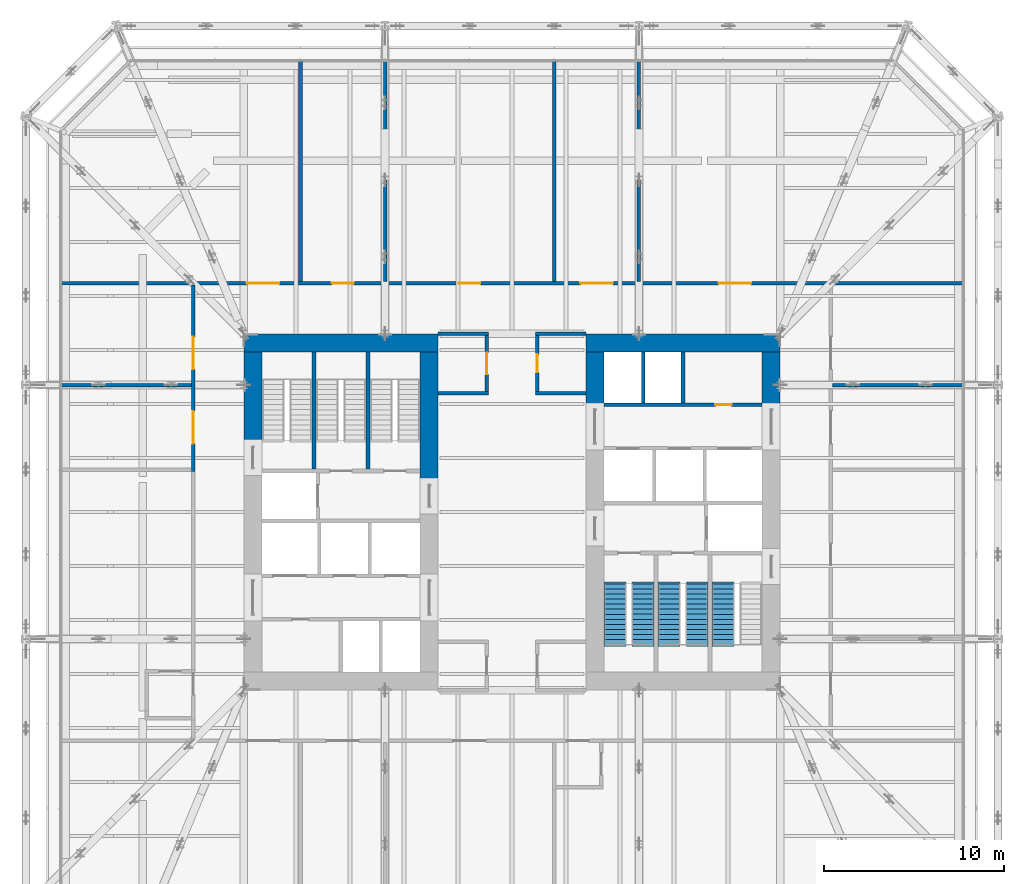
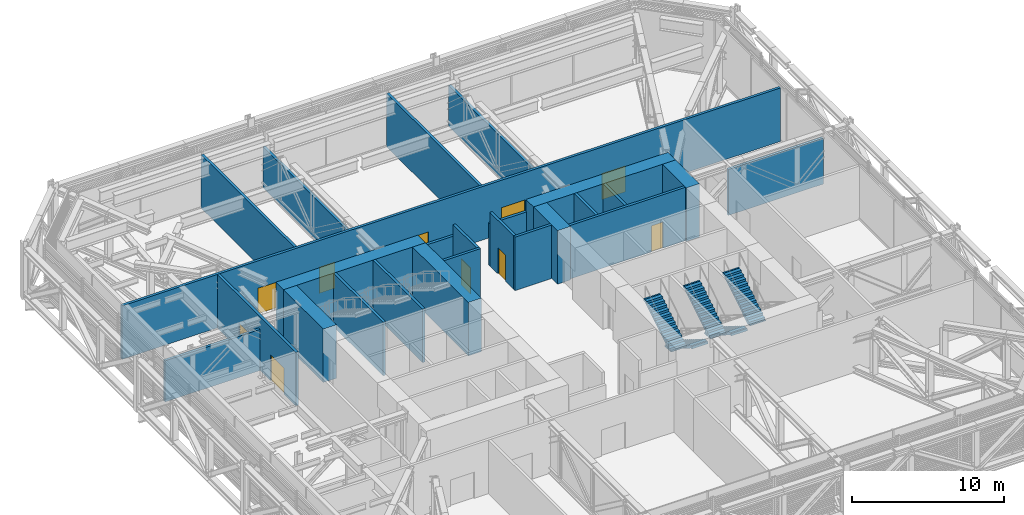
# One storey, part 24 of 33: 25 walls, 10 doors, 5 stair flights, 10 openings, 3 elements without a shape of their own.
"""IFC4 building model written with IfcOpenShell, lengths in metres."""

from ifc_helpers import new_model, si_unit, direction, frame, frame_2d, origin, place, context, subcontext, project, spatial, polyline, rectangle, outline, extrude, material, layer, layer_set, type_object, element, fill, aggregate, save


model = new_model("IFC4")

# Units and contexts
model_context = context("Model", 3, precision=1e-05, world=origin(), true_north=direction((0.0, 1.0)))
body_context = subcontext(model_context, "Body", "Model", "MODEL_VIEW")
ifc_project = project(units=[si_unit("LENGTHUNIT", "METRE"), si_unit("AREAUNIT", "SQUARE_METRE"), si_unit("VOLUMEUNIT", "CUBIC_METRE"), si_unit("PLANEANGLEUNIT", "RADIAN"), si_unit("MASSUNIT", "GRAM", prefix="KILO")], contexts=[model_context])

# Site, building, storey
site_placement = place(None, origin())
site = spatial("IfcSite", under=ifc_project, at=site_placement, CompositionType="ELEMENT")
building_placement = place(site_placement, origin())
building = spatial("IfcBuilding", under=site, at=building_placement, Name="Millrace Tower", CompositionType="ELEMENT")
storey_placement = place(building_placement, frame((0.0, 0.0, 64.10009765625)))
storey = spatial("IfcBuildingStorey", under=building, at=storey_placement, Name="L14", CompositionType="ELEMENT", Elevation=64.10009765625)

# Walls
ifc_material_1 = material(Name="Concrete C80", Category="concrete")
ifc_layer_1 = layer(ifc_material_1, 1.0)
ifc_layer_set_1 = layer_set([ifc_layer_1], Name="Concrete C80")
wall_type_1 = type_object("IfcWallType", Name="Core wall 1000 Concrete C80", PredefinedType="SHEAR", material=ifc_layer_set_1)
wall_1_placement = place(storey_placement, frame((-14.89990234375, 9.39990234375, 0.0), z_axis=(0.0, 0.0, 1.0), x_axis=(1.0, 0.0, 0.0)))
element("IfcWall", 1, at=wall_1_placement, inside=storey, type_object=wall_type_1, Name="Core wall W L14", PredefinedType="SHEAR", context=body_context, shape_type="SweptSolid", body=[
    extrude(rectangle(XDim=10.7998046875, YDim=1.0, at=frame_2d((5.39990234375, 0.0))), origin(), (0.0, 0.0, 1.0), 4.2998046875),
])
wall_2_placement = place(storey_placement, frame((-14.39990234375, 3.679931640625, 0.0), z_axis=(0.0, 0.0, 1.0), x_axis=(0.0, 1.0, 0.0)))
element("IfcWall", 2, at=wall_2_placement, inside=storey, type_object=wall_type_1, Name="Core wall W L14", PredefinedType="SHEAR", context=body_context, shape_type="SweptSolid", body=[
    extrude(rectangle(XDim=5.219970703125, YDim=1.0, at=frame_2d((2.60986328125, 0.0))), origin(), (0.0, 0.0, 1.0), 4.2998046875),
])
wall_3_placement = place(storey_placement, frame((-4.60009765625, 1.550048828125, 0.0), z_axis=(0.0, 0.0, 1.0), x_axis=(0.0, 1.0, 0.0)))
element("IfcWall", 3, at=wall_3_placement, inside=storey, type_object=wall_type_1, Name="Core wall W L14", PredefinedType="SHEAR", context=body_context, shape_type="SweptSolid", body=[
    extrude(rectangle(XDim=7.349853515625, YDim=1.0, at=frame_2d((3.6748046875, 0.0))), origin(), (0.0, 0.0, 1.0), 4.2998046875),
])
wall_4_placement = place(storey_placement, frame((14.89990234375, 9.39990234375, 0.0), z_axis=(0.0, 0.0, 1.0), x_axis=(-1.0, 0.0, 0.0)))
element("IfcWall", 4, at=wall_4_placement, inside=storey, type_object=wall_type_1, Name="Core wall E L14", PredefinedType="SHEAR", context=body_context, shape_type="SweptSolid", body=[
    extrude(rectangle(XDim=10.7998046875, YDim=1.0, at=frame_2d((5.39990234375, 0.0))), origin(), (0.0, 0.0, 1.0), 4.2998046875),
])
for number, where, z_axis, x_axis, name in (
    (5, (14.39990234375, 8.89990234375, 0.0), (0.0, 0.0, 1.0), (0.0, -1.0, 0.0), "Core wall E L14"),
    (6, (4.60009765625, 8.89990234375, 0.0), (0.0, 0.0, 1.0), (0.0, -1.0, 0.0), "Core wall E L14"),
):
    element("IfcWall", number, at=place(storey_placement, frame(where, z_axis=z_axis, x_axis=x_axis)), inside=storey, type_object=wall_type_1, Name=name, PredefinedType="SHEAR", context=body_context, shape_type="SweptSolid", body=[
        extrude(rectangle(XDim=3.14990234375, YDim=1.0, at=frame_2d((1.574951171875, 0.0))), origin(), (0.0, 0.0, 1.0), 4.2998046875),
    ])
ifc_material_2 = material(Name="Masonry partition, fire-rated", Category="masonry")
ifc_layer_2 = layer(ifc_material_2, 0.199951171875)
ifc_layer_set_2 = layer_set([ifc_layer_2], Name="Masonry partition, fire-rated")
wall_type_2 = type_object("IfcWallType", Name="Corridor wall 200", PredefinedType="PARTITIONING", material=ifc_layer_set_2)
for number, where, z_axis, x_axis, name in (
    (7, (-4.10009765625, 6.60009765625, 0.0), (0.0, 0.0, 1.0), (1.0, 0.0, 0.0), "Corridor wall L14"),
    (8, (1.300048828125, 6.60009765625, 0.0), (0.0, 0.0, 1.0), (1.0, 0.0, 0.0), "Corridor wall L14"),
):
    element("IfcWall", number, at=place(storey_placement, frame(where, z_axis=z_axis, x_axis=x_axis)), inside=storey, type_object=wall_type_2, Name=name, PredefinedType="PARTITIONING", context=body_context, shape_type="SweptSolid", body=[
        extrude(rectangle(XDim=2.800048828125, YDim=0.199951171875, at=frame_2d((1.39990234375, 0.0))), origin(), (0.0, 0.0, 1.0), 4.2998046875),
    ])
wall_5_placement = place(storey_placement, frame((-25.030029296875, 7.050048828125, 0.0), z_axis=(0.0, 0.0, 1.0), x_axis=(1.0, 0.0, 0.0)))
element("IfcWall", 9, at=wall_5_placement, inside=storey, type_object=wall_type_2, Name="Corridor wall L14", PredefinedType="PARTITIONING", context=body_context, shape_type="SweptSolid", body=[
    extrude(rectangle(XDim=7.22998046875, YDim=0.199951171875, at=frame_2d((3.614990234375, 0.0))), origin(), (0.0, 0.0, 1.0), 3.306884765625),
])
wall_6_placement = place(storey_placement, frame((17.800048828125, 7.050048828125, 0.0), z_axis=(0.0, 0.0, 1.0), x_axis=(1.0, 0.0, 0.0)))
element("IfcWall", 10, at=wall_6_placement, inside=storey, type_object=wall_type_2, Name="Corridor wall L14", PredefinedType="PARTITIONING", context=body_context, shape_type="SweptSolid", body=[
    extrude(rectangle(XDim=7.22998046875, YDim=0.199951171875, at=frame_2d((3.614990234375, 0.0))), origin(), (0.0, 0.0, 1.0), 3.686767578125),
])
for number, where, z_axis, x_axis, name in (
    (11, (-4.10009765625, 9.89990234375, 0.0), (0.0, 0.0, 1.0), (1.0, 0.0, 0.0), "Corridor wall L14"),
    (12, (1.300048828125, 9.89990234375, 0.0), (0.0, 0.0, 1.0), (1.0, 0.0, 0.0), "Corridor wall L14"),
):
    element("IfcWall", number, at=place(storey_placement, frame(where, z_axis=z_axis, x_axis=x_axis)), inside=storey, type_object=wall_type_2, Name=name, PredefinedType="PARTITIONING", context=body_context, shape_type="SweptSolid", body=[
        extrude(rectangle(XDim=2.800048828125, YDim=0.199951171875, at=frame_2d((1.39990234375, 0.0))), origin(), (0.0, 0.0, 1.0), 3.362548828125),
    ])

# Wall, openings, doors
wall_7_placement = place(storey_placement, frame((-25.030029296875, 12.699951171875, 0.0), z_axis=(0.0, 0.0, 1.0), x_axis=(1.0, 0.0, 0.0)))
wall_7 = element("IfcWall", 13, at=wall_7_placement, inside=storey, type_object=wall_type_2, Name="Corridor wall L14", PredefinedType="PARTITIONING", context=body_context, shape_type="SweptSolid", body=[
    extrude(rectangle(XDim=50.06005859375, YDim=0.199951171875, at=frame_2d((25.030029296875, 0.0))), origin(), (0.0, 0.0, 1.0), 4.2998046875),
])
opening_1_placement = place(wall_7_placement, frame((10.304931640625, 0.0, 0.0)))
opening_1 = element("IfcOpeningElement", 14, at=opening_1_placement, cuts=wall_7, Name="Opening 14-P010", PredefinedType="OPENING", context=body_context, shape_type="SweptSolid", body=[
    extrude(rectangle(XDim=1.800048828125, YDim=2.10009765625, at=frame_2d((0.89990234375, 1.050048828125))), frame((0.0, 0.10986328125, 0.0), z_axis=(0.0, -1.0, 0.0), x_axis=(1.0, 0.0, 0.0)), (0.0, 0.0, 1.0), 0.219970703125),
])
opening_2_placement = place(wall_7_placement, frame((15.030029296875, 0.0, 0.0)))
opening_2 = element("IfcOpeningElement", 15, at=opening_2_placement, cuts=wall_7, Name="Opening 14-P011", PredefinedType="OPENING", context=body_context, shape_type="SweptSolid", body=[
    extrude(rectangle(XDim=1.199951171875, YDim=2.10009765625, at=frame_2d((0.60009765625, 1.050048828125))), frame((0.0, 0.10986328125, 0.0), z_axis=(0.0, -1.0, 0.0), x_axis=(1.0, 0.0, 0.0)), (0.0, 0.0, 1.0), 0.219970703125),
])
opening_3_placement = place(wall_7_placement, frame((22.080078125, 0.0, 0.0)))
opening_3 = element("IfcOpeningElement", 16, at=opening_3_placement, cuts=wall_7, Name="Opening 14-P012", PredefinedType="OPENING", context=body_context, shape_type="SweptSolid", body=[
    extrude(rectangle(XDim=1.199951171875, YDim=2.10009765625, at=frame_2d((0.60009765625, 1.050048828125))), frame((0.0, 0.10986328125, 0.0), z_axis=(0.0, -1.0, 0.0), x_axis=(1.0, 0.0, 0.0)), (0.0, 0.0, 1.0), 0.219970703125),
])
opening_4_placement = place(wall_7_placement, frame((28.830078125, 0.0, 0.0)))
opening_4 = element("IfcOpeningElement", 17, at=opening_4_placement, cuts=wall_7, Name="Opening 14-P013", PredefinedType="OPENING", context=body_context, shape_type="SweptSolid", body=[
    extrude(rectangle(XDim=1.800048828125, YDim=2.10009765625, at=frame_2d((0.89990234375, 1.050048828125))), frame((0.0, 0.10986328125, 0.0), z_axis=(0.0, -1.0, 0.0), x_axis=(1.0, 0.0, 0.0)), (0.0, 0.0, 1.0), 0.219970703125),
])
opening_5_placement = place(wall_7_placement, frame((36.510009765625, 0.0, 0.0)))
opening_5 = element("IfcOpeningElement", 18, at=opening_5_placement, cuts=wall_7, Name="Opening 14-P014", PredefinedType="OPENING", context=body_context, shape_type="SweptSolid", body=[
    extrude(rectangle(XDim=1.800048828125, YDim=2.10009765625, at=frame_2d((0.89990234375, 1.050048828125))), frame((0.0, 0.10986328125, 0.0), z_axis=(0.0, -1.0, 0.0), x_axis=(1.0, 0.0, 0.0)), (0.0, 0.0, 1.0), 0.219970703125),
])
ifc_material_3 = material(Name="Steel door set, fire-rated", Category="steel")
door_type_1 = type_object("IfcDoorType", Name="Plant room door 1200 x 2100", OperationType="SINGLE_SWING_LEFT", PredefinedType="DOOR", material=ifc_material_3)
door_1_placement = place(opening_2_placement, origin())
door_1 = element("IfcDoor", 19, at=door_1_placement, inside=storey, type_object=door_type_1, Name="Door 14-P011", OperationType="SINGLE_SWING_LEFT", OverallHeight=2.10009765625, OverallWidth=1.199951171875, PredefinedType="DOOR", context=body_context, shape_type="SweptSolid", body=[
    extrude(rectangle(XDim=1.199951171875, YDim=2.10009765625, at=frame_2d((0.60009765625, 1.050048828125))), frame((0.0, 0.02490234375, 0.0), z_axis=(0.0, -1.0, 0.0), x_axis=(1.0, 0.0, 0.0)), (0.0, 0.0, 1.0), 0.050048828125),
])
fill(opening_2, door_1)
door_2_placement = place(opening_3_placement, origin())
door_2 = element("IfcDoor", 20, at=door_2_placement, inside=storey, type_object=door_type_1, Name="Door 14-P012", OperationType="SINGLE_SWING_LEFT", OverallHeight=2.10009765625, OverallWidth=1.199951171875, PredefinedType="DOOR", context=body_context, shape_type="SweptSolid", body=[
    extrude(rectangle(XDim=1.199951171875, YDim=2.10009765625, at=frame_2d((0.60009765625, 1.050048828125))), frame((0.0, 0.02490234375, 0.0), z_axis=(0.0, -1.0, 0.0), x_axis=(1.0, 0.0, 0.0)), (0.0, 0.0, 1.0), 0.050048828125),
])
fill(opening_3, door_2)
ifc_material_4 = material(Name="Steel door set, fire-rated", Category="steel")
door_type_2 = type_object("IfcDoorType", Name="Plant room door 1800 x 2100", OperationType="DOUBLE_DOOR_SINGLE_SWING", PredefinedType="DOOR", material=ifc_material_4)
door_3_placement = place(opening_1_placement, origin())
door_3 = element("IfcDoor", 21, at=door_3_placement, inside=storey, type_object=door_type_2, Name="Door 14-P010", OperationType="DOUBLE_DOOR_SINGLE_SWING", OverallHeight=2.10009765625, OverallWidth=1.800048828125, PredefinedType="DOOR", context=body_context, shape_type="SweptSolid", body=[
    extrude(rectangle(XDim=1.800048828125, YDim=2.10009765625, at=frame_2d((0.89990234375, 1.050048828125))), frame((0.0, 0.02490234375, 0.0), z_axis=(0.0, -1.0, 0.0), x_axis=(1.0, 0.0, 0.0)), (0.0, 0.0, 1.0), 0.050048828125),
])
fill(opening_1, door_3)
door_4_placement = place(opening_4_placement, origin())
door_4 = element("IfcDoor", 22, at=door_4_placement, inside=storey, type_object=door_type_2, Name="Door 14-P013", OperationType="DOUBLE_DOOR_SINGLE_SWING", OverallHeight=2.10009765625, OverallWidth=1.800048828125, PredefinedType="DOOR", context=body_context, shape_type="SweptSolid", body=[
    extrude(rectangle(XDim=1.800048828125, YDim=2.10009765625, at=frame_2d((0.89990234375, 1.050048828125))), frame((0.0, 0.02490234375, 0.0), z_axis=(0.0, -1.0, 0.0), x_axis=(1.0, 0.0, 0.0)), (0.0, 0.0, 1.0), 0.050048828125),
])
fill(opening_4, door_4)
door_5_placement = place(opening_5_placement, origin())
door_5 = element("IfcDoor", 23, at=door_5_placement, inside=storey, type_object=door_type_2, Name="Door 14-P014", OperationType="DOUBLE_DOOR_SINGLE_SWING", OverallHeight=2.10009765625, OverallWidth=1.800048828125, PredefinedType="DOOR", context=body_context, shape_type="SweptSolid", body=[
    extrude(rectangle(XDim=1.800048828125, YDim=2.10009765625, at=frame_2d((0.89990234375, 1.050048828125))), frame((0.0, 0.02490234375, 0.0), z_axis=(0.0, -1.0, 0.0), x_axis=(1.0, 0.0, 0.0)), (0.0, 0.0, 1.0), 0.050048828125),
])
fill(opening_5, door_5)

# Walls
wall_8_placement = place(storey_placement, frame((7.050048828125, 12.800048828125, 0.0), z_axis=(0.0, 0.0, 1.0), x_axis=(0.0, 1.0, 0.0)))
element("IfcWall", 24, at=wall_8_placement, inside=storey, type_object=wall_type_2, Name="Corridor wall L14", PredefinedType="PARTITIONING", context=body_context, shape_type="SweptSolid", body=[
    extrude(rectangle(XDim=12.22998046875, YDim=0.199951171875, at=frame_2d((6.114990234375, 0.0))), origin(), (0.0, 0.0, 1.0), 3.306884765625),
])
wall_9_placement = place(storey_placement, frame((2.35009765625, 12.800048828125, 0.0), z_axis=(0.0, 0.0, 1.0), x_axis=(0.0, 1.0, 0.0)))
element("IfcWall", 25, at=wall_9_placement, inside=storey, type_object=wall_type_2, Name="Corridor wall L14", PredefinedType="PARTITIONING", context=body_context, shape_type="SweptSolid", body=[
    extrude(rectangle(XDim=12.22998046875, YDim=0.199951171875, at=frame_2d((6.114990234375, 0.0))), origin(), (0.0, 0.0, 1.0), 4.2998046875),
])

# Wall, opening, door
wall_10_placement = place(storey_placement, frame((1.39990234375, 6.699951171875, 0.0), z_axis=(0.0, 0.0, 1.0), x_axis=(0.0, 1.0, 0.0)))
wall_10 = element("IfcWall", 26, at=wall_10_placement, inside=storey, type_object=wall_type_2, Name="Corridor wall L14", PredefinedType="PARTITIONING", context=body_context, shape_type="SweptSolid", body=[
    extrude(rectangle(XDim=3.10009765625, YDim=0.199951171875, at=frame_2d((1.550048828125, 0.0))), origin(), (0.0, 0.0, 1.0), 4.2998046875),
])
opening_6_placement = place(wall_10_placement, frame((1.050048828125, 0.0, 0.0)))
opening_6 = element("IfcOpeningElement", 27, at=opening_6_placement, cuts=wall_10, Name="Opening 14-P002", PredefinedType="OPENING", context=body_context, shape_type="SweptSolid", body=[
    extrude(rectangle(XDim=1.0, YDim=2.10009765625, at=frame_2d((0.5, 1.050048828125))), frame((0.0, 0.10986328125, 0.0), z_axis=(0.0, -1.0, 0.0), x_axis=(1.0, 0.0, 0.0)), (0.0, 0.0, 1.0), 0.219970703125),
])
ifc_material_5 = material(Name="Steel door set, fire-rated", Category="steel")
door_type_3 = type_object("IfcDoorType", Name="Corridor door 1000 x 2100", OperationType="SINGLE_SWING_LEFT", PredefinedType="DOOR", material=ifc_material_5)
door_6_placement = place(opening_6_placement, frame((1.0, 0.0, 0.0), z_axis=(0.0, 0.0, 1.0), x_axis=(-1.0, 0.0, 0.0)))
door_6 = element("IfcDoor", 28, at=door_6_placement, inside=storey, type_object=door_type_3, Name="Door 14-P002", OperationType="SINGLE_SWING_LEFT", OverallHeight=2.10009765625, OverallWidth=1.0, PredefinedType="DOOR", context=body_context, shape_type="SweptSolid", body=[
    extrude(rectangle(XDim=1.0, YDim=2.10009765625, at=frame_2d((0.5, 1.050048828125))), frame((0.0, 0.02490234375, 0.0), z_axis=(0.0, -1.0, 0.0), x_axis=(1.0, 0.0, 0.0)), (0.0, 0.0, 1.0), 0.050048828125),
])
fill(opening_6, door_6)

wall_11_placement = place(storey_placement, frame((-1.39990234375, 6.699951171875, 0.0), z_axis=(0.0, 0.0, 1.0), x_axis=(0.0, 1.0, 0.0)))
wall_11 = element("IfcWall", 29, at=wall_11_placement, inside=storey, type_object=wall_type_2, Name="Corridor wall L14", PredefinedType="PARTITIONING", context=body_context, shape_type="SweptSolid", body=[
    extrude(rectangle(XDim=3.10009765625, YDim=0.199951171875, at=frame_2d((1.550048828125, 0.0))), origin(), (0.0, 0.0, 1.0), 4.2998046875),
])
opening_7_placement = place(wall_11_placement, frame((0.949951171875, 0.0, 0.0)))
opening_7 = element("IfcOpeningElement", 30, at=opening_7_placement, cuts=wall_11, Name="Opening 14-P001", PredefinedType="OPENING", context=body_context, shape_type="SweptSolid", body=[
    extrude(rectangle(XDim=1.199951171875, YDim=2.10009765625, at=frame_2d((0.60009765625, 1.050048828125))), frame((0.0, 0.10986328125, 0.0), z_axis=(0.0, -1.0, 0.0), x_axis=(1.0, 0.0, 0.0)), (0.0, 0.0, 1.0), 0.219970703125),
])
ifc_material_6 = material(Name="Steel door set, fire-rated", Category="steel")
door_type_4 = type_object("IfcDoorType", Name="Corridor door 1200 x 2100", OperationType="SINGLE_SWING_LEFT", PredefinedType="DOOR", material=ifc_material_6)
door_7_placement = place(opening_7_placement, origin())
door_7 = element("IfcDoor", 31, at=door_7_placement, inside=storey, type_object=door_type_4, Name="Door 14-P001", OperationType="SINGLE_SWING_RIGHT", OverallHeight=2.10009765625, OverallWidth=1.199951171875, PredefinedType="DOOR", context=body_context, shape_type="SweptSolid", body=[
    extrude(rectangle(XDim=1.199951171875, YDim=2.10009765625, at=frame_2d((0.60009765625, 1.050048828125))), frame((0.0, 0.02490234375, 0.0), z_axis=(0.0, -1.0, 0.0), x_axis=(1.0, 0.0, 0.0)), (0.0, 0.0, 1.0), 0.050048828125),
])
fill(opening_7, door_7)

# Walls
wall_12_placement = place(storey_placement, frame((-7.050048828125, 12.800048828125, 0.0), z_axis=(0.0, 0.0, 1.0), x_axis=(0.0, 1.0, 0.0)))
element("IfcWall", 32, at=wall_12_placement, inside=storey, type_object=wall_type_2, Name="Corridor wall L14", PredefinedType="PARTITIONING", context=body_context, shape_type="SweptSolid", body=[
    extrude(rectangle(XDim=12.22998046875, YDim=0.199951171875, at=frame_2d((6.114990234375, 0.0))), origin(), (0.0, 0.0, 1.0), 3.306884765625),
])
wall_13_placement = place(storey_placement, frame((-11.75, 12.800048828125, 0.0), z_axis=(0.0, 0.0, 1.0), x_axis=(0.0, 1.0, 0.0)))
element("IfcWall", 33, at=wall_13_placement, inside=storey, type_object=wall_type_2, Name="Corridor wall L14", PredefinedType="PARTITIONING", context=body_context, shape_type="SweptSolid", body=[
    extrude(rectangle(XDim=12.22998046875, YDim=0.199951171875, at=frame_2d((6.114990234375, 0.0))), origin(), (0.0, 0.0, 1.0), 4.2998046875),
])

# Wall, openings, doors
wall_14_placement = place(storey_placement, frame((-17.699951171875, 2.25, 0.0), z_axis=(0.0, 0.0, 1.0), x_axis=(0.0, 1.0, 0.0)))
wall_14 = element("IfcWall", 34, at=wall_14_placement, inside=storey, type_object=wall_type_2, Name="Corridor wall L14", PredefinedType="PARTITIONING", context=body_context, shape_type="SweptSolid", body=[
    extrude(rectangle(XDim=10.35009765625, YDim=0.199951171875, at=frame_2d((5.175048828125, 0.0))), origin(), (0.0, 0.0, 1.0), 4.2998046875),
])
opening_8_placement = place(wall_14_placement, frame((1.550048828125, 0.0, 0.0)))
opening_8 = element("IfcOpeningElement", 35, at=opening_8_placement, cuts=wall_14, Name="Opening 14-P021", PredefinedType="OPENING", context=body_context, shape_type="SweptSolid", body=[
    extrude(rectangle(XDim=1.800048828125, YDim=2.10009765625, at=frame_2d((0.89990234375, 1.050048828125))), frame((0.0, 0.10986328125, 0.0), z_axis=(0.0, -1.0, 0.0), x_axis=(1.0, 0.0, 0.0)), (0.0, 0.0, 1.0), 0.219970703125),
])
opening_9_placement = place(wall_14_placement, frame((5.675048828125, 0.0, 0.0)))
opening_9 = element("IfcOpeningElement", 36, at=opening_9_placement, cuts=wall_14, Name="Opening 14-P022", PredefinedType="OPENING", context=body_context, shape_type="SweptSolid", body=[
    extrude(rectangle(XDim=1.800048828125, YDim=2.10009765625, at=frame_2d((0.89990234375, 1.050048828125))), frame((0.0, 0.10986328125, 0.0), z_axis=(0.0, -1.0, 0.0), x_axis=(1.0, 0.0, 0.0)), (0.0, 0.0, 1.0), 0.219970703125),
])
door_8_placement = place(opening_8_placement, origin())
door_8 = element("IfcDoor", 37, at=door_8_placement, inside=storey, type_object=door_type_2, Name="Door 14-P021", OperationType="DOUBLE_DOOR_SINGLE_SWING", OverallHeight=2.10009765625, OverallWidth=1.800048828125, PredefinedType="DOOR", context=body_context, shape_type="SweptSolid", body=[
    extrude(rectangle(XDim=1.800048828125, YDim=2.10009765625, at=frame_2d((0.89990234375, 1.050048828125))), frame((0.0, 0.02490234375, 0.0), z_axis=(0.0, -1.0, 0.0), x_axis=(1.0, 0.0, 0.0)), (0.0, 0.0, 1.0), 0.050048828125),
])
fill(opening_8, door_8)
door_9_placement = place(opening_9_placement, origin())
door_9 = element("IfcDoor", 38, at=door_9_placement, inside=storey, type_object=door_type_2, Name="Door 14-P022", OperationType="DOUBLE_DOOR_SINGLE_SWING", OverallHeight=2.10009765625, OverallWidth=1.800048828125, PredefinedType="DOOR", context=body_context, shape_type="SweptSolid", body=[
    extrude(rectangle(XDim=1.800048828125, YDim=2.10009765625, at=frame_2d((0.89990234375, 1.050048828125))), frame((0.0, 0.02490234375, 0.0), z_axis=(0.0, -1.0, 0.0), x_axis=(1.0, 0.0, 0.0)), (0.0, 0.0, 1.0), 0.050048828125),
])
fill(opening_9, door_9)

# Wall, opening, door
ifc_material_7 = material(Name="Masonry partition, fire-rated", Category="masonry")
ifc_layer_3 = layer(ifc_material_7, 0.199951171875)
ifc_layer_set_3 = layer_set([ifc_layer_3], Name="Masonry partition, fire-rated")
wall_type_3 = type_object("IfcWallType", Name="Lift shaft wall 200", PredefinedType="PARTITIONING", material=ifc_layer_set_3)
wall_15_placement = place(storey_placement, frame((13.89990234375, 5.949951171875, 0.0), z_axis=(0.0, 0.0, 1.0), x_axis=(-1.0, 0.0, 0.0)))
wall_15 = element("IfcWall", 39, at=wall_15_placement, inside=storey, type_object=wall_type_3, Name="Lift shaft wall E L14", PredefinedType="PARTITIONING", context=body_context, shape_type="SweptSolid", body=[
    extrude(rectangle(XDim=8.7998046875, YDim=0.199951171875, at=frame_2d((4.39990234375, 0.0))), origin(), (0.0, 0.0, 1.0), 4.2998046875),
])
opening_10_placement = place(wall_15_placement, frame((1.699951171875, 0.0, 0.0)))
opening_10 = element("IfcOpeningElement", 40, at=opening_10_placement, cuts=wall_15, Name="Opening 14-C012", PredefinedType="OPENING", context=body_context, shape_type="SweptSolid", body=[
    extrude(rectangle(XDim=0.89990234375, YDim=2.10009765625, at=frame_2d((0.449951171875, 1.050048828125))), frame((0.0, 0.10986328125, 0.0), z_axis=(0.0, -1.0, 0.0), x_axis=(1.0, 0.0, 0.0)), (0.0, 0.0, 1.0), 0.219970703125),
])
ifc_material_8 = material(Name="Steel door, fire-rated", Category="steel")
door_type_5 = type_object("IfcDoorType", Name="Service room door 900 x 2100", OperationType="SINGLE_SWING_LEFT", PredefinedType="DOOR", material=ifc_material_8)
door_10_placement = place(opening_10_placement, frame((0.89990234375, 0.0, 0.0), z_axis=(0.0, 0.0, 1.0), x_axis=(-1.0, 0.0, 0.0)))
door_10 = element("IfcDoor", 41, at=door_10_placement, inside=storey, type_object=door_type_5, Name="Service room door 14-C012", OperationType="SINGLE_SWING_RIGHT", OverallHeight=2.10009765625, OverallWidth=0.89990234375, PredefinedType="DOOR", context=body_context, shape_type="SweptSolid", body=[
    extrude(rectangle(XDim=0.89990234375, YDim=2.10009765625, at=frame_2d((0.449951171875, 1.050048828125))), frame((0.0, 0.02490234375, 0.0), z_axis=(0.0, -1.0, 0.0), x_axis=(1.0, 0.0, 0.0)), (0.0, 0.0, 1.0), 0.050048828125),
])
fill(opening_10, door_10)

# Walls
for number, where, z_axis, x_axis, name in (
    (42, (9.5, 8.89990234375, 0.0), (0.0, 0.0, 1.0), (0.0, -1.0, 0.0), "Lift shaft wall E L14"),
    (43, (7.300048828125, 8.89990234375, 0.0), (0.0, 0.0, 1.0), (0.0, -1.0, 0.0), "Lift shaft wall E L14"),
):
    element("IfcWall", number, at=place(storey_placement, frame(where, z_axis=z_axis, x_axis=x_axis)), inside=storey, type_object=wall_type_3, Name=name, PredefinedType="PARTITIONING", context=body_context, shape_type="SweptSolid", body=[
        extrude(rectangle(XDim=2.849853515625, YDim=0.199951171875, at=frame_2d((1.4248046875, 0.0))), origin(), (0.0, 0.0, 1.0), 4.2998046875),
    ])
ifc_material_9 = material(Name="Concrete C40", Category="concrete")
ifc_layer_4 = layer(ifc_material_9, 0.199951171875)
ifc_layer_set_4 = layer_set([ifc_layer_4], Name="Concrete C40")
wall_type_4 = type_object("IfcWallType", Name="Stair enclosure wall 200 Concrete C40", PredefinedType="SHEAR", material=ifc_layer_set_4)
for number, where, z_axis, x_axis, name in (
    (44, (-11.0, 2.3798828125, 0.0), (0.0, 0.0, 1.0), (0.0, 1.0, 0.0), "Stair enclosure wall W L14"),
    (45, (-8.0, 2.3798828125, 0.0), (0.0, 0.0, 1.0), (0.0, 1.0, 0.0), "Stair enclosure wall W L14"),
):
    element("IfcWall", number, at=place(storey_placement, frame(where, z_axis=z_axis, x_axis=x_axis)), inside=storey, type_object=wall_type_4, Name=name, PredefinedType="SHEAR", context=body_context, shape_type="SweptSolid", body=[
        extrude(rectangle(XDim=6.52001953125, YDim=0.199951171875, at=frame_2d((3.260009765625, 0.0))), origin(), (0.0, 0.0, 1.0), 4.2998046875),
    ])

# Stair, stair flight
ifc_material_10 = material(Name="Concrete C35", Category="concrete")
stair_type = type_object("IfcStairType", Name="Exit stair", PredefinedType="HALF_TURN_STAIR", material=ifc_material_10)
placement = place(storey_placement, origin())
stair_1 = element("IfcStair", 46, at=placement, inside=storey, type_object=stair_type, Name="Stair 1 E L14", PredefinedType="HALF_TURN_STAIR")
ifc_material_11 = material(Name="Concrete C35", Category="concrete")
stair_flight_type = type_object("IfcStairFlightType", Name="Exit stair flight", PredefinedType="STRAIGHT", material=ifc_material_11)
stair_flight_1_placement = place(storey_placement, frame((11.7099609375, -7.360107421875, 2.25), z_axis=(0.0, 0.0, 1.0), x_axis=(0.0, 1.0, 0.0)))
stair_flight_1 = element("IfcStairFlight", 47, at=stair_flight_1_placement, type_object=stair_flight_type, Name="ST12 flight 2", NumberOfRisers=13, NumberOfTreads=12, PredefinedType="STRAIGHT", RiserHeight=0.173076923, TreadLength=0.28, context=body_context, shape_type="SweptSolid", body=[
    extrude(outline(polyline([(-0.1201171875, -0.0400390625), (-0.1201171875, 0.0), (0.0, 0.0), (0.0, 0.173095703125), (0.280029296875, 0.173095703125), (0.280029296875, 0.34619140625), (0.56005859375, 0.34619140625), (0.56005859375, 0.519287109375), (0.840087890625, 0.519287109375), (0.840087890625, 0.6923828125), (1.1201171875, 0.6923828125), (1.1201171875, 0.865478515625), (1.39990234375, 0.865478515625), (1.39990234375, 1.03857421875), (1.679931640625, 1.03857421875), (1.679931640625, 1.21142578125), (1.9599609375, 1.21142578125), (1.9599609375, 1.384521484375), (2.239990234375, 1.384521484375), (2.239990234375, 1.5576171875), (2.52001953125, 1.5576171875), (2.52001953125, 1.730712890625), (2.800048828125, 1.730712890625), (2.800048828125, 1.90380859375), (3.080078125, 1.90380859375), (3.080078125, 2.076904296875), (3.360107421875, 2.076904296875), (3.360107421875, 2.096923828125), (3.47998046875, 2.096923828125), (3.47998046875, 1.900634765625), (3.360107421875, 1.900634765625), (0.28515625, 0.0), (0.28515625, -0.0400390625), (-0.1201171875, -0.0400390625)])), frame((0.0, 0.60986328125, 0.0), z_axis=(0.0, -1.0, 0.0), x_axis=(1.0, 0.0, 0.0)), (0.0, 0.0, 1.0), 1.219970703125),
])
aggregate(stair_1, [stair_flight_1])

# Stair, stair flights
stair_2 = element("IfcStair", 48, at=placement, inside=storey, type_object=stair_type, Name="Stair 2 E L14", PredefinedType="HALF_TURN_STAIR")
stair_flight_2_placement = place(storey_placement, frame((10.2900390625, -4.0, 0.0), z_axis=(0.0, 0.0, 1.0), x_axis=(0.0, -1.0, 0.0)))
stair_flight_2 = element("IfcStairFlight", 49, at=stair_flight_2_placement, type_object=stair_flight_type, Name="ST12 flight 1", NumberOfRisers=13, NumberOfTreads=12, PredefinedType="STRAIGHT", RiserHeight=0.173076923, TreadLength=0.28, context=body_context, shape_type="SweptSolid", body=[
    extrude(outline(polyline([(-0.1201171875, -0.0400390625), (-0.1201171875, 0.0), (0.0, 0.0), (0.0, 0.173095703125), (0.280029296875, 0.173095703125), (0.280029296875, 0.34619140625), (0.56005859375, 0.34619140625), (0.56005859375, 0.519287109375), (0.840087890625, 0.519287109375), (0.840087890625, 0.6923828125), (1.1201171875, 0.6923828125), (1.1201171875, 0.865478515625), (1.39990234375, 0.865478515625), (1.39990234375, 1.03857421875), (1.679931640625, 1.03857421875), (1.679931640625, 1.21142578125), (1.9599609375, 1.21142578125), (1.9599609375, 1.384521484375), (2.239990234375, 1.384521484375), (2.239990234375, 1.5576171875), (2.52001953125, 1.5576171875), (2.52001953125, 1.730712890625), (2.800048828125, 1.730712890625), (2.800048828125, 1.90380859375), (3.080078125, 1.90380859375), (3.080078125, 2.076904296875), (3.360107421875, 2.076904296875), (3.360107421875, 2.096923828125), (3.47998046875, 2.096923828125), (3.47998046875, 1.900634765625), (3.360107421875, 1.900634765625), (0.28515625, 0.0), (0.28515625, -0.0400390625), (-0.1201171875, -0.0400390625)])), frame((0.0, 0.60986328125, 0.0), z_axis=(0.0, -1.0, 0.0), x_axis=(1.0, 0.0, 0.0)), (0.0, 0.0, 1.0), 1.219970703125),
])
stair_flight_3_placement = place(storey_placement, frame((8.7099609375, -7.360107421875, 2.25), z_axis=(0.0, 0.0, 1.0), x_axis=(0.0, 1.0, 0.0)))
stair_flight_3 = element("IfcStairFlight", 50, at=stair_flight_3_placement, type_object=stair_flight_type, Name="ST12 flight 2", NumberOfRisers=13, NumberOfTreads=12, PredefinedType="STRAIGHT", RiserHeight=0.173076923, TreadLength=0.28, context=body_context, shape_type="SweptSolid", body=[
    extrude(outline(polyline([(-0.1201171875, -0.0400390625), (-0.1201171875, 0.0), (0.0, 0.0), (0.0, 0.173095703125), (0.280029296875, 0.173095703125), (0.280029296875, 0.34619140625), (0.56005859375, 0.34619140625), (0.56005859375, 0.519287109375), (0.840087890625, 0.519287109375), (0.840087890625, 0.6923828125), (1.1201171875, 0.6923828125), (1.1201171875, 0.865478515625), (1.39990234375, 0.865478515625), (1.39990234375, 1.03857421875), (1.679931640625, 1.03857421875), (1.679931640625, 1.21142578125), (1.9599609375, 1.21142578125), (1.9599609375, 1.384521484375), (2.239990234375, 1.384521484375), (2.239990234375, 1.5576171875), (2.52001953125, 1.5576171875), (2.52001953125, 1.730712890625), (2.800048828125, 1.730712890625), (2.800048828125, 1.90380859375), (3.080078125, 1.90380859375), (3.080078125, 2.076904296875), (3.360107421875, 2.076904296875), (3.360107421875, 2.096923828125), (3.47998046875, 2.096923828125), (3.47998046875, 1.900634765625), (3.360107421875, 1.900634765625), (0.28515625, 0.0), (0.28515625, -0.0400390625), (-0.1201171875, -0.0400390625)])), frame((0.0, 0.60986328125, 0.0), z_axis=(0.0, -1.0, 0.0), x_axis=(1.0, 0.0, 0.0)), (0.0, 0.0, 1.0), 1.219970703125),
])
aggregate(stair_2, [stair_flight_2, stair_flight_3])

stair_3 = element("IfcStair", 51, at=placement, inside=storey, type_object=stair_type, Name="Stair 3 E L14", PredefinedType="HALF_TURN_STAIR")
stair_flight_4_placement = place(storey_placement, frame((7.2900390625, -4.0, 0.0), z_axis=(0.0, 0.0, 1.0), x_axis=(0.0, -1.0, 0.0)))
stair_flight_4 = element("IfcStairFlight", 52, at=stair_flight_4_placement, type_object=stair_flight_type, Name="ST12 flight 1", NumberOfRisers=13, NumberOfTreads=12, PredefinedType="STRAIGHT", RiserHeight=0.173076923, TreadLength=0.28, context=body_context, shape_type="SweptSolid", body=[
    extrude(outline(polyline([(-0.1201171875, -0.0400390625), (-0.1201171875, 0.0), (0.0, 0.0), (0.0, 0.173095703125), (0.280029296875, 0.173095703125), (0.280029296875, 0.34619140625), (0.56005859375, 0.34619140625), (0.56005859375, 0.519287109375), (0.840087890625, 0.519287109375), (0.840087890625, 0.6923828125), (1.1201171875, 0.6923828125), (1.1201171875, 0.865478515625), (1.39990234375, 0.865478515625), (1.39990234375, 1.03857421875), (1.679931640625, 1.03857421875), (1.679931640625, 1.21142578125), (1.9599609375, 1.21142578125), (1.9599609375, 1.384521484375), (2.239990234375, 1.384521484375), (2.239990234375, 1.5576171875), (2.52001953125, 1.5576171875), (2.52001953125, 1.730712890625), (2.800048828125, 1.730712890625), (2.800048828125, 1.90380859375), (3.080078125, 1.90380859375), (3.080078125, 2.076904296875), (3.360107421875, 2.076904296875), (3.360107421875, 2.096923828125), (3.47998046875, 2.096923828125), (3.47998046875, 1.900634765625), (3.360107421875, 1.900634765625), (0.28515625, 0.0), (0.28515625, -0.0400390625), (-0.1201171875, -0.0400390625)])), frame((0.0, 0.60986328125, 0.0), z_axis=(0.0, -1.0, 0.0), x_axis=(1.0, 0.0, 0.0)), (0.0, 0.0, 1.0), 1.219970703125),
])
stair_flight_5_placement = place(storey_placement, frame((5.7099609375, -7.360107421875, 2.25), z_axis=(0.0, 0.0, 1.0), x_axis=(0.0, 1.0, 0.0)))
stair_flight_5 = element("IfcStairFlight", 53, at=stair_flight_5_placement, type_object=stair_flight_type, Name="ST12 flight 2", NumberOfRisers=13, NumberOfTreads=12, PredefinedType="STRAIGHT", RiserHeight=0.173076923, TreadLength=0.28, context=body_context, shape_type="SweptSolid", body=[
    extrude(outline(polyline([(-0.1201171875, -0.0400390625), (-0.1201171875, 0.0), (0.0, 0.0), (0.0, 0.173095703125), (0.280029296875, 0.173095703125), (0.280029296875, 0.34619140625), (0.56005859375, 0.34619140625), (0.56005859375, 0.519287109375), (0.840087890625, 0.519287109375), (0.840087890625, 0.6923828125), (1.1201171875, 0.6923828125), (1.1201171875, 0.865478515625), (1.39990234375, 0.865478515625), (1.39990234375, 1.03857421875), (1.679931640625, 1.03857421875), (1.679931640625, 1.21142578125), (1.9599609375, 1.21142578125), (1.9599609375, 1.384521484375), (2.239990234375, 1.384521484375), (2.239990234375, 1.5576171875), (2.52001953125, 1.5576171875), (2.52001953125, 1.730712890625), (2.800048828125, 1.730712890625), (2.800048828125, 1.90380859375), (3.080078125, 1.90380859375), (3.080078125, 2.076904296875), (3.360107421875, 2.076904296875), (3.360107421875, 2.096923828125), (3.47998046875, 2.096923828125), (3.47998046875, 1.900634765625), (3.360107421875, 1.900634765625), (0.28515625, 0.0), (0.28515625, -0.0400390625), (-0.1201171875, -0.0400390625)])), frame((0.0, 0.60986328125, 0.0), z_axis=(0.0, -1.0, 0.0), x_axis=(1.0, 0.0, 0.0)), (0.0, 0.0, 1.0), 1.219970703125),
])
aggregate(stair_3, [stair_flight_4, stair_flight_5])

save(model, "model.ifc")
